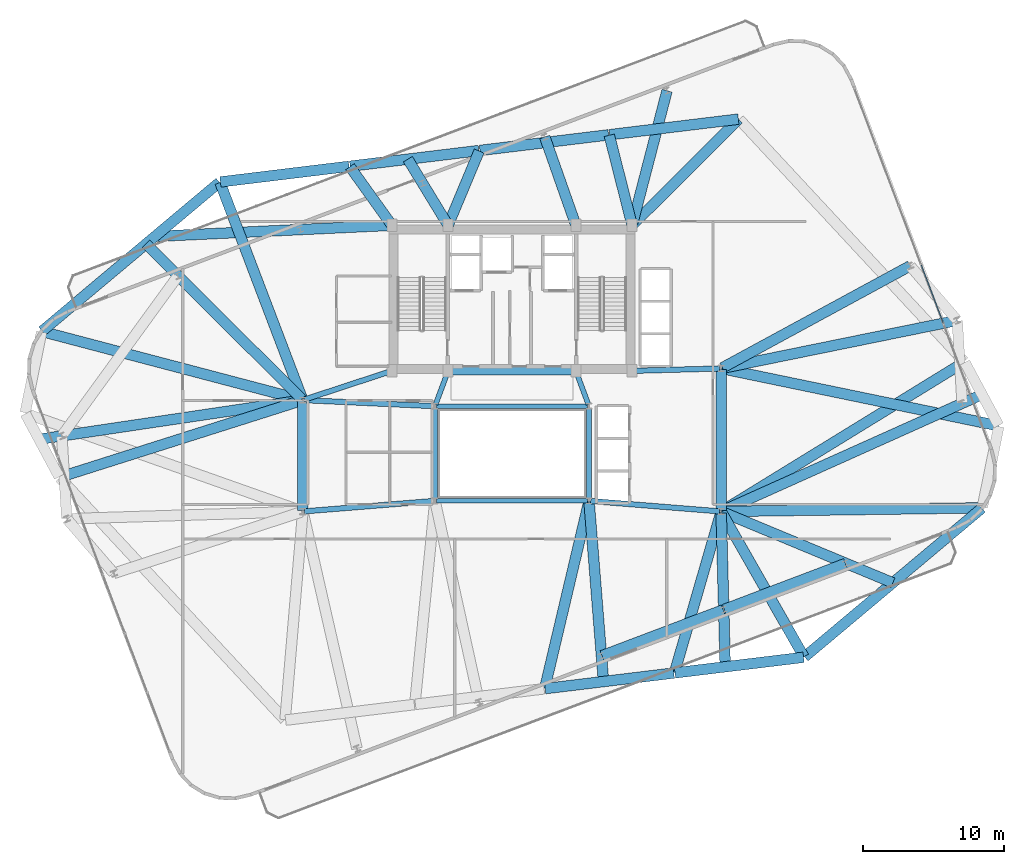
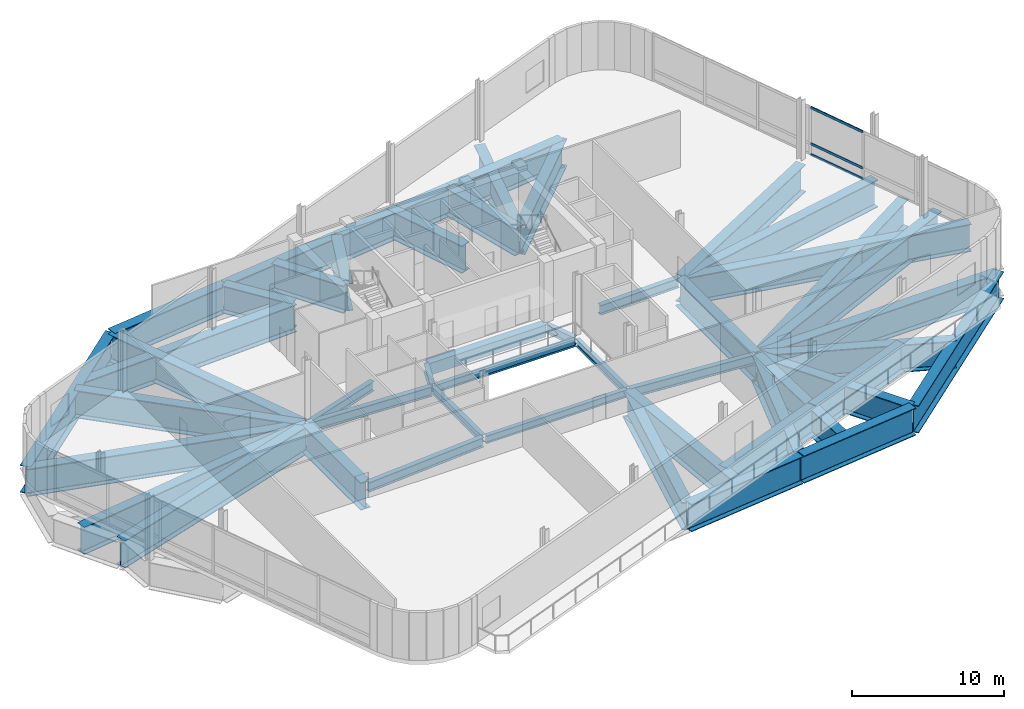
# One storey, part 8 of 19: 49 beams, 3 members, 1 element without a shape of its own.
"""IFC4 building model written with IfcOpenShell, lengths in metres."""

from ifc_helpers import new_model, si_unit, direction, frame, origin, origin_2d, place, context, subcontext, project, spatial, rectangle, hollow_rectangle, i_section, extrude, material, layer, layer_set, material_profile, profile_set, type_object, element, aggregate, save


model = new_model("IFC4")

# Units and contexts
model_context = context("Model", 3, precision=1e-05, world=origin(), true_north=direction((0.0, 1.0)))
body_context = subcontext(model_context, "Body", "Model", "MODEL_VIEW")
ifc_project = project(units=[si_unit("LENGTHUNIT", "METRE"), si_unit("AREAUNIT", "SQUARE_METRE"), si_unit("VOLUMEUNIT", "CUBIC_METRE"), si_unit("PLANEANGLEUNIT", "RADIAN"), si_unit("MASSUNIT", "GRAM", prefix="KILO")], contexts=[model_context])

# Site, building, storey
site_placement = place(None, origin())
site = spatial("IfcSite", under=ifc_project, at=site_placement, CompositionType="ELEMENT")
building_placement = place(site_placement, origin())
building = spatial("IfcBuilding", under=site, at=building_placement, Name="Varnelok Gate Tower", CompositionType="ELEMENT")
storey_placement = place(building_placement, frame((0.0, 0.0, 207.89990234375)))
storey = spatial("IfcBuildingStorey", under=building, at=storey_placement, Name="L53", CompositionType="ELEMENT", Elevation=207.89990234375)

# Beams
ifc_material_1 = material(Name="Concrete C60/75", Category="concrete")
ifc_material_profile_1 = material_profile(ifc_material_1, rectangle(XDim=0.60009765625, YDim=0.949951171875, at=origin_2d()), Name="RC950X600")
ifc_profile_set_1 = profile_set([ifc_material_profile_1], Name="Concrete C60/75")
beam_type_1 = type_object("IfcBeamType", Name="BM-LNT-RC950", PredefinedType="LINTEL", material=ifc_profile_set_1)
beam_1_placement = place(storey_placement, frame((34.800048828125, 28.75, -0.794921875), z_axis=(1.0, 0.0, 0.0), x_axis=(0.0, 1.0, 0.0)))
element("IfcBeam", 1, at=beam_1_placement, inside=storey, type_object=beam_type_1, Name="L53 Core-Atrium Spine Beam 7", PredefinedType="LINTEL", context=body_context, shape_type="SweptSolid", body=[
    extrude(rectangle(XDim=0.60009765625, YDim=0.949951171875, at=origin_2d()), origin(), (0.0, 0.0, 1.0), 8.800048828125),
])
ifc_material_2 = material(Name="Structural Steel ASTM A992 Grade 50", Category="steel")
ifc_material_profile_2 = material_profile(ifc_material_2, i_section(OverallWidth=0.35498046875, OverallDepth=0.696044921875, WebThickness=0.015380859375, FlangeThickness=0.02490234375, FilletRadius=0.02001953125, at=origin_2d()), Name="W27X146")
ifc_profile_set_2 = profile_set([ifc_material_profile_2], Name="Structural Steel ASTM A992 Grade 50")
beam_type_2 = type_object("IfcBeamType", Name="BM-PRI-W27X146", PredefinedType="BEAM", material=ifc_profile_set_2)
for number, where, z_axis, x_axis, name in (
    (2, (33.791748046875, 26.362548828125, -0.66796875), (0.348719329408, 0.937227202602, 0.0), (-0.937227202602, 0.348719329408, 0.0), "L53 Core-Atrium Spine Beam 12"),
    (3, (44.608154296875, 26.362548828125, -0.66796875), (-0.348719329408, 0.937227202602, 0.0), (-0.937227202602, -0.348719329408, 0.0), "L53 Core-Atrium Spine Beam 13"),
):
    element("IfcBeam", number, at=place(storey_placement, frame(where, z_axis=z_axis, x_axis=x_axis)), inside=storey, type_object=beam_type_2, Name=name, PredefinedType="BEAM", context=body_context, shape_type="SweptSolid", body=[
        extrude(i_section(OverallWidth=0.35498046875, OverallDepth=0.696044921875, WebThickness=0.015380859375, FlangeThickness=0.02490234375, FilletRadius=0.02001953125, at=origin_2d()), origin(), (0.0, 0.0, 1.0), 2.42724609375),
    ])
ifc_material_profile_3 = material_profile(ifc_material_2, i_section(OverallWidth=0.381103515625, OverallDepth=0.77294921875, WebThickness=0.0166015625, FlangeThickness=0.027099609375, FilletRadius=0.02197265625, at=origin_2d()), Name="W30X173")
ifc_profile_set_3 = profile_set([ifc_material_profile_3], Name="Structural Steel ASTM A992 Grade 50")
beam_type_3 = type_object("IfcBeamType", Name="BM-PRI-W30X173", PredefinedType="BEAM", material=ifc_profile_set_3)
beam_2_placement = place(storey_placement, frame((24.51953125, 18.8095703125, -0.706298828125), z_axis=(0.996799206292, 0.07994587128, 0.0), x_axis=(-0.07994587128, 0.996799206292, 0.0)))
element("IfcBeam", 4, at=beam_2_placement, inside=storey, type_object=beam_type_3, Name="L53 Core-Atrium Spine Beam 14", PredefinedType="BEAM", context=body_context, shape_type="SweptSolid", body=[
    extrude(i_section(OverallWidth=0.381103515625, OverallDepth=0.77294921875, WebThickness=0.0166015625, FlangeThickness=0.027099609375, FilletRadius=0.02197265625, at=origin_2d()), origin(), (0.0, 0.0, 1.0), 9.14013671875),
])
beam_3_placement = place(storey_placement, frame((24.52001953125, 26.674560546875, -0.706298828125), z_axis=(0.99894427814, -0.045938319209, 0.0), x_axis=(0.045938319209, 0.99894427814, 0.0)))
element("IfcBeam", 5, at=beam_3_placement, inside=storey, type_object=beam_type_3, Name="L53 Core-Atrium Spine Beam 15", PredefinedType="BEAM", context=body_context, shape_type="SweptSolid", body=[
    extrude(i_section(OverallWidth=0.381103515625, OverallDepth=0.77294921875, WebThickness=0.0166015625, FlangeThickness=0.027099609375, FilletRadius=0.02197265625, at=origin_2d()), origin(), (0.0, 0.0, 1.0), 9.11962890625),
])
beam_4_placement = place(storey_placement, frame((24.513916015625, 26.717529296875, -0.706298828125), z_axis=(0.950041943788, 0.312122259768, 0.0), x_axis=(-0.312122259768, 0.950041943788, 0.0)))
element("IfcBeam", 6, at=beam_4_placement, inside=storey, type_object=beam_type_3, Name="L53 Core-Atrium Spine Beam 17", PredefinedType="BEAM", context=body_context, shape_type="SweptSolid", body=[
    extrude(i_section(OverallWidth=0.381103515625, OverallDepth=0.77294921875, WebThickness=0.0166015625, FlangeThickness=0.027099609375, FilletRadius=0.02197265625, at=origin_2d()), origin(), (0.0, 0.0, 1.0), 6.391357421875),
])
beam_5_placement = place(storey_placement, frame((44.76953125, 19.540283203125, -0.706298828125), z_axis=(0.996799206292, -0.07994587128, 0.0), x_axis=(0.07994587128, 0.996799206292, 0.0)))
element("IfcBeam", 7, at=beam_5_placement, inside=storey, type_object=beam_type_3, Name="L53 Core-Atrium Spine Beam 18", PredefinedType="BEAM", context=body_context, shape_type="SweptSolid", body=[
    extrude(i_section(OverallWidth=0.381103515625, OverallDepth=0.77294921875, WebThickness=0.0166015625, FlangeThickness=0.027099609375, FilletRadius=0.02197265625, at=origin_2d()), origin(), (0.0, 0.0, 1.0), 9.14013671875),
])
beam_6_placement = place(storey_placement, frame((47.820068359375, 28.753173828125, -0.706298828125), z_axis=(0.999635880609, 0.026983443053, 0.0), x_axis=(-0.026983443053, 0.999635880609, 0.0)))
element("IfcBeam", 8, at=beam_6_placement, inside=storey, type_object=beam_type_3, Name="L53 Core-Atrium Spine Beam 19", PredefinedType="BEAM", context=body_context, shape_type="SweptSolid", body=[
    extrude(i_section(OverallWidth=0.381103515625, OverallDepth=0.77294921875, WebThickness=0.0166015625, FlangeThickness=0.027099609375, FilletRadius=0.02197265625, at=origin_2d()), origin(), (0.0, 0.0, 1.0), 6.06201171875),
])
ifc_material_profile_4 = material_profile(ifc_material_2, i_section(OverallWidth=0.323974609375, OverallDepth=0.611083984375, WebThickness=0.0126953125, FlangeThickness=0.01904296875, FilletRadius=0.01806640625, at=origin_2d()), Name="W24X104")
ifc_profile_set_4 = profile_set([ifc_material_profile_4], Name="Structural Steel ASTM A992 Grade 50")
beam_type_4 = type_object("IfcBeamType", Name="BM-SPN-W24X104", PredefinedType="SPANDREL", material=ifc_profile_set_4)
for number, where, z_axis, x_axis, name in (
    (9, (33.8701171875, 19.550048828125, -0.62548828125), (1.0, 0.0, 0.0), (0.0, 1.0, 0.0), "L53 Core-Atrium Spine Beam 8"),
    (10, (33.8701171875, 26.25, -0.62548828125), (1.0, 0.0, 0.0), (0.0, 1.0, 0.0), "L53 Core-Atrium Spine Beam 9"),
):
    element("IfcBeam", number, at=place(storey_placement, frame(where, z_axis=z_axis, x_axis=x_axis)), inside=storey, type_object=beam_type_4, Name=name, PredefinedType="SPANDREL", context=body_context, shape_type="SweptSolid", body=[
        extrude(i_section(OverallWidth=0.323974609375, OverallDepth=0.611083984375, WebThickness=0.0126953125, FlangeThickness=0.01904296875, FilletRadius=0.01806640625, at=origin_2d()), origin(), (0.0, 0.0, 1.0), 10.659912109375),
    ])
for number, where, z_axis, x_axis, name in (
    (11, (33.75, 19.669921875, -0.62548828125), (0.0, 1.0, 0.0), (-1.0, 0.0, 0.0), "L53 Core-Atrium Spine Beam 10"),
    (12, (44.64990234375, 19.669921875, -0.62548828125), (0.0, 1.0, 0.0), (-1.0, 0.0, 0.0), "L53 Core-Atrium Spine Beam 11"),
):
    element("IfcBeam", number, at=place(storey_placement, frame(where, z_axis=z_axis, x_axis=x_axis)), inside=storey, type_object=beam_type_4, Name=name, PredefinedType="SPANDREL", context=body_context, shape_type="SweptSolid", body=[
        extrude(i_section(OverallWidth=0.323974609375, OverallDepth=0.611083984375, WebThickness=0.0126953125, FlangeThickness=0.01904296875, FilletRadius=0.01806640625, at=origin_2d()), origin(), (0.0, 0.0, 1.0), 6.4599609375),
    ])
ifc_material_3 = material(Name="Structural Steel ASTM A572 Grade 50", Category="steel")
ifc_material_profile_5 = material_profile(ifc_material_3, i_section(OverallWidth=0.75, OverallDepth=2.199951171875, WebThickness=0.031982421875, FlangeThickness=0.06005859375, FilletRadius=0.028076171875, at=origin_2d()), Name="PG2200X750")
ifc_profile_set_5 = profile_set([ifc_material_profile_5], Name="Structural Steel ASTM A572 Grade 50")
beam_type_5 = type_object("IfcBeamType", Name="BM-TR-PG2200", PredefinedType="BEAM", material=ifc_profile_set_5)
beam_7_placement = place(storey_placement, frame((24.39990234375, 18.8798828125, -1.419921875), z_axis=(0.0, 1.0, 0.0), x_axis=(-1.0, 0.0, 0.0)))
element("IfcBeam", 13, at=beam_7_placement, inside=storey, type_object=beam_type_5, Name="L53 Wing Spine Transfer Header W", PredefinedType="BEAM", context=body_context, shape_type="SweptSolid", body=[
    extrude(i_section(OverallWidth=0.75, OverallDepth=2.199951171875, WebThickness=0.031982421875, FlangeThickness=0.06005859375, FilletRadius=0.028076171875, at=origin_2d()), origin(), (0.0, 0.0, 1.0), 7.72021484375),
])
beam_8_placement = place(storey_placement, frame((54.0, 18.8798828125, -1.419921875), z_axis=(0.0, 1.0, 0.0), x_axis=(-1.0, 0.0, 0.0)))
element("IfcBeam", 14, at=beam_8_placement, inside=storey, type_object=beam_type_5, Name="L53 Wing Spine Transfer Header E", PredefinedType="BEAM", context=body_context, shape_type="SweptSolid", body=[
    extrude(i_section(OverallWidth=0.75, OverallDepth=2.199951171875, WebThickness=0.031982421875, FlangeThickness=0.06005859375, FilletRadius=0.028076171875, at=origin_2d()), origin(), (0.0, 0.0, 1.0), 9.960205078125),
])
beam_9_placement = place(storey_placement, frame((41.5478515625, 6.26416015625, -1.419921875), z_axis=(0.992729830166, 0.120363965946, 0.0), x_axis=(-0.120363965946, 0.992729830166, 0.0)))
element("IfcBeam", 15, at=beam_9_placement, inside=storey, type_object=beam_type_5, Name="L53 Transfer Support Ring Girder 3", PredefinedType="BEAM", context=body_context, shape_type="SweptSolid", body=[
    extrude(i_section(OverallWidth=0.75, OverallDepth=2.199951171875, WebThickness=0.031982421875, FlangeThickness=0.06005859375, FilletRadius=0.028076171875, at=origin_2d()), origin(), (0.0, 0.0, 1.0), 9.170166015625),
])
beam_10_placement = place(storey_placement, frame((50.730712890625, 7.37744140625, -1.419921875), z_axis=(0.992732625466, 0.120340908818, 0.0), x_axis=(-0.120340908818, 0.992732625466, 0.0)))
element("IfcBeam", 16, at=beam_10_placement, inside=storey, type_object=beam_type_5, Name="L53 Transfer Support Ring Girder 4", PredefinedType="BEAM", context=body_context, shape_type="SweptSolid", body=[
    extrude(i_section(OverallWidth=0.75, OverallDepth=2.199951171875, WebThickness=0.031982421875, FlangeThickness=0.06005859375, FilletRadius=0.028076171875, at=origin_2d()), origin(), (0.0, 0.0, 1.0), 9.169921875),
])
beam_11_placement = place(storey_placement, frame((59.904296875, 8.511474609375, -1.419921875), z_axis=(0.766097503556, 0.642724369419, 0.0), x_axis=(-0.642724369419, 0.766097503556, 0.0)))
element("IfcBeam", 17, at=beam_11_placement, inside=storey, type_object=beam_type_5, Name="L53 Transfer Support Ring Girder 5", PredefinedType="BEAM", context=body_context, shape_type="SweptSolid", body=[
    extrude(i_section(OverallWidth=0.75, OverallDepth=2.199951171875, WebThickness=0.031982421875, FlangeThickness=0.06005859375, FilletRadius=0.028076171875, at=origin_2d()), origin(), (0.0, 0.0, 1.0), 16.371337890625),
])
beam_12_placement = place(storey_placement, frame((55.217529296875, 46.562255859375, -1.419921875), z_axis=(-0.992729444446, -0.120367147219, 0.0), x_axis=(0.120367147219, -0.992729444446, 0.0)))
element("IfcBeam", 18, at=beam_12_placement, inside=storey, type_object=beam_type_5, Name="L53 Transfer Support Ring Girder 9", PredefinedType="BEAM", context=body_context, shape_type="SweptSolid", body=[
    extrude(i_section(OverallWidth=0.75, OverallDepth=2.199951171875, WebThickness=0.031982421875, FlangeThickness=0.06005859375, FilletRadius=0.028076171875, at=origin_2d()), origin(), (0.0, 0.0, 1.0), 9.169921875),
])
beam_13_placement = place(storey_placement, frame((46.034912109375, 45.448974609375, -1.419921875), z_axis=(-0.992733011019, -0.120337728218, 0.0), x_axis=(0.120337728218, -0.992733011019, 0.0)))
element("IfcBeam", 19, at=beam_13_placement, inside=storey, type_object=beam_type_5, Name="L53 Transfer Support Ring Girder 10", PredefinedType="BEAM", context=body_context, shape_type="SweptSolid", body=[
    extrude(i_section(OverallWidth=0.75, OverallDepth=2.199951171875, WebThickness=0.031982421875, FlangeThickness=0.06005859375, FilletRadius=0.028076171875, at=origin_2d()), origin(), (0.0, 0.0, 1.0), 9.170166015625),
])
for number, where, z_axis, x_axis, name in (
    (20, (36.85205078125, 44.335693359375, -1.419921875), (-0.992732625466, -0.120340908818, 0.0), (0.120340908818, -0.992732625466, 0.0), "L53 Transfer Support Ring Girder 11"),
    (21, (27.669189453125, 43.22265625, -1.419921875), (-0.992729444446, -0.120367147219, 0.0), (0.120367147219, -0.992729444446, 0.0), "L53 Transfer Support Ring Girder 12"),
):
    element("IfcBeam", number, at=place(storey_placement, frame(where, z_axis=z_axis, x_axis=x_axis)), inside=storey, type_object=beam_type_5, Name=name, PredefinedType="BEAM", context=body_context, shape_type="SweptSolid", body=[
        extrude(i_section(OverallWidth=0.75, OverallDepth=2.199951171875, WebThickness=0.031982421875, FlangeThickness=0.06005859375, FilletRadius=0.028076171875, at=origin_2d()), origin(), (0.0, 0.0, 1.0), 9.169921875),
    ])
beam_14_placement = place(storey_placement, frame((18.49560546875, 42.08837890625, -1.419921875), z_axis=(-0.766104846456, -0.642715616923, 0.0), x_axis=(0.642715616923, -0.766104846456, 0.0)))
element("IfcBeam", 22, at=beam_14_placement, inside=storey, type_object=beam_type_5, Name="L53 Transfer Support Ring Girder 13", PredefinedType="BEAM", context=body_context, shape_type="SweptSolid", body=[
    extrude(i_section(OverallWidth=0.75, OverallDepth=2.199951171875, WebThickness=0.031982421875, FlangeThickness=0.06005859375, FilletRadius=0.028076171875, at=origin_2d()), origin(), (0.0, 0.0, 1.0), 16.37109375),
])
beam_15_placement = place(storey_placement, frame((44.640869140625, 19.510986328125, -1.419921875), z_axis=(-0.23006354054, -0.9731756097, 0.0), x_axis=(0.9731756097, -0.23006354054, 0.0)))
element("IfcBeam", 23, at=beam_15_placement, inside=storey, type_object=beam_type_5, Name="L53 Radial Transfer Main Girder 3", PredefinedType="BEAM", context=body_context, shape_type="SweptSolid", body=[
    extrude(i_section(OverallWidth=0.75, OverallDepth=2.199951171875, WebThickness=0.031982421875, FlangeThickness=0.06005859375, FilletRadius=0.028076171875, at=origin_2d()), origin(), (0.0, 0.0, 1.0), 13.576904296875),
])
beam_16_placement = place(storey_placement, frame((53.989013671875, 18.76171875, -1.419921875), z_axis=(-0.278143856805, -0.960539429134, 0.0), x_axis=(0.960539429134, -0.278143856805, 0.0)))
element("IfcBeam", 24, at=beam_16_placement, inside=storey, type_object=beam_type_5, Name="L53 Radial Transfer Main Girder 4", PredefinedType="BEAM", context=body_context, shape_type="SweptSolid", body=[
    extrude(i_section(OverallWidth=0.75, OverallDepth=2.199951171875, WebThickness=0.031982421875, FlangeThickness=0.06005859375, FilletRadius=0.028076171875, at=origin_2d()), origin(), (0.0, 0.0, 1.0), 11.817138671875),
])
beam_17_placement = place(storey_placement, frame((54.019775390625, 18.76513671875, -1.419921875), z_axis=(0.494869459327, -0.86896732863, 0.0), x_axis=(0.86896732863, 0.494869459327, 0.0)))
element("IfcBeam", 25, at=beam_17_placement, inside=storey, type_object=beam_type_5, Name="L53 Radial Transfer Main Girder 5", PredefinedType="BEAM", context=body_context, shape_type="SweptSolid", body=[
    extrude(i_section(OverallWidth=0.75, OverallDepth=2.199951171875, WebThickness=0.031982421875, FlangeThickness=0.06005859375, FilletRadius=0.028076171875, at=origin_2d()), origin(), (0.0, 0.0, 1.0), 11.78955078125),
])
beam_18_placement = place(storey_placement, frame((54.0400390625, 18.800537109375, -1.419921875), z_axis=(0.999901634393, 0.014025745515, 0.0), x_axis=(-0.014025745515, 0.999901634393, 0.0)))
element("IfcBeam", 26, at=beam_18_placement, inside=storey, type_object=beam_type_5, Name="L53 Radial Transfer Main Girder 6", PredefinedType="BEAM", context=body_context, shape_type="SweptSolid", body=[
    extrude(i_section(OverallWidth=0.75, OverallDepth=2.199951171875, WebThickness=0.031982421875, FlangeThickness=0.06005859375, FilletRadius=0.028076171875, at=origin_2d()), origin(), (0.0, 0.0, 1.0), 18.398681640625),
])
beam_19_placement = place(storey_placement, frame((54.039306640625, 28.911865234375, -1.419921875), z_axis=(0.97925406888, -0.202636296312, 0.0), x_axis=(0.202636296312, 0.97925406888, 0.0)))
element("IfcBeam", 27, at=beam_19_placement, inside=storey, type_object=beam_type_5, Name="L53 Radial Transfer Main Girder 7", PredefinedType="BEAM", context=body_context, shape_type="SweptSolid", body=[
    extrude(i_section(OverallWidth=0.75, OverallDepth=2.199951171875, WebThickness=0.031982421875, FlangeThickness=0.06005859375, FilletRadius=0.028076171875, at=origin_2d()), origin(), (0.0, 0.0, 1.0), 19.990478515625),
])
beam_20_placement = place(storey_placement, frame((54.0341796875, 18.82080078125, -1.419921875), z_axis=(0.852016115087, 0.523515558157, 0.0), x_axis=(-0.523515558157, 0.852016115087, 0.0)))
element("IfcBeam", 28, at=beam_20_placement, inside=storey, type_object=beam_type_5, Name="L53 Radial Transfer Main Girder 8", PredefinedType="BEAM", context=body_context, shape_type="SweptSolid", body=[
    extrude(i_section(OverallWidth=0.75, OverallDepth=2.199951171875, WebThickness=0.031982421875, FlangeThickness=0.06005859375, FilletRadius=0.028076171875, at=origin_2d()), origin(), (0.0, 0.0, 1.0), 20.136962890625),
])
beam_21_placement = place(storey_placement, frame((47.728515625, 39.078125, -1.419921875), z_axis=(0.708985091132, 0.705223468521, 0.0), x_axis=(-0.705223468521, 0.708985091132, 0.0)))
element("IfcBeam", 29, at=beam_21_placement, inside=storey, type_object=beam_type_5, Name="L53 Radial Transfer Main Girder 9", PredefinedType="BEAM", context=body_context, shape_type="SweptSolid", body=[
    extrude(i_section(OverallWidth=0.75, OverallDepth=2.199951171875, WebThickness=0.031982421875, FlangeThickness=0.06005859375, FilletRadius=0.028076171875, at=origin_2d()), origin(), (0.0, 0.0, 1.0), 10.5791015625),
])
beam_22_placement = place(storey_placement, frame((47.690185546875, 39.0888671875, -1.419921875), z_axis=(-0.246019421144, 0.969264898993, 0.0), x_axis=(-0.969264898993, -0.246019421144, 0.0)))
element("IfcBeam", 30, at=beam_22_placement, inside=storey, type_object=beam_type_5, Name="L53 Radial Transfer Main Girder 10", PredefinedType="BEAM", context=body_context, shape_type="SweptSolid", body=[
    extrude(i_section(OverallWidth=0.75, OverallDepth=2.199951171875, WebThickness=0.031982421875, FlangeThickness=0.06005859375, FilletRadius=0.028076171875, at=origin_2d()), origin(), (0.0, 0.0, 1.0), 6.52685546875),
])
beam_23_placement = place(storey_placement, frame((34.6953125, 39.0869140625, -1.419921875), z_axis=(0.385743320012, 0.922606140813, 0.0), x_axis=(-0.922606140813, 0.385743320012, 0.0)))
element("IfcBeam", 31, at=beam_23_placement, inside=storey, type_object=beam_type_5, Name="L53 Radial Transfer Main Girder 11", PredefinedType="BEAM", context=body_context, shape_type="SweptSolid", body=[
    extrude(i_section(OverallWidth=0.75, OverallDepth=2.199951171875, WebThickness=0.031982421875, FlangeThickness=0.06005859375, FilletRadius=0.028076171875, at=origin_2d()), origin(), (0.0, 0.0, 1.0), 5.654296875),
])
beam_24_placement = place(storey_placement, frame((30.6767578125, 39.08251953125, -1.419921875), z_axis=(-0.582151067217, 0.813080644793, 0.0), x_axis=(-0.813080644793, -0.582151067217, 0.0)))
element("IfcBeam", 32, at=beam_24_placement, inside=storey, type_object=beam_type_5, Name="L53 Radial Transfer Main Girder 12", PredefinedType="BEAM", context=body_context, shape_type="SweptSolid", body=[
    extrude(i_section(OverallWidth=0.75, OverallDepth=2.199951171875, WebThickness=0.031982421875, FlangeThickness=0.06005859375, FilletRadius=0.028076171875, at=origin_2d()), origin(), (0.0, 0.0, 1.0), 5.0576171875),
])
beam_25_placement = place(storey_placement, frame((24.3857421875, 26.71728515625, -1.419921875), z_axis=(-0.35568581308, 0.93460558653, 0.0), x_axis=(-0.93460558653, -0.35568581308, 0.0)))
element("IfcBeam", 33, at=beam_25_placement, inside=storey, type_object=beam_type_5, Name="L53 Radial Transfer Main Girder 13", PredefinedType="BEAM", context=body_context, shape_type="SweptSolid", body=[
    extrude(i_section(OverallWidth=0.75, OverallDepth=2.199951171875, WebThickness=0.031982421875, FlangeThickness=0.06005859375, FilletRadius=0.028076171875, at=origin_2d()), origin(), (0.0, 0.0, 1.0), 16.434326171875),
])
beam_26_placement = place(storey_placement, frame((24.361328125, 26.690185546875, -1.419921875), z_axis=(-0.967095477941, 0.254413711396, 0.0), x_axis=(-0.254413711396, -0.967095477941, 0.0)))
element("IfcBeam", 34, at=beam_26_placement, inside=storey, type_object=beam_type_5, Name="L53 Radial Transfer Main Girder 14", PredefinedType="BEAM", context=body_context, shape_type="SweptSolid", body=[
    extrude(i_section(OverallWidth=0.75, OverallDepth=2.199951171875, WebThickness=0.031982421875, FlangeThickness=0.06005859375, FilletRadius=0.028076171875, at=origin_2d()), origin(), (0.0, 0.0, 1.0), 19.025390625),
])
beam_27_placement = place(storey_placement, frame((24.36181640625, 26.66796875, -1.419921875), z_axis=(-0.953194871834, -0.302356637615, 0.0), x_axis=(0.302356637615, -0.953194871834, 0.0)))
element("IfcBeam", 35, at=beam_27_placement, inside=storey, type_object=beam_type_5, Name="L53 Radial Transfer Main Girder 16", PredefinedType="BEAM", context=body_context, shape_type="SweptSolid", body=[
    extrude(i_section(OverallWidth=0.75, OverallDepth=2.199951171875, WebThickness=0.031982421875, FlangeThickness=0.06005859375, FilletRadius=0.028076171875, at=origin_2d()), origin(), (0.0, 0.0, 1.0), 17.990966796875),
])
beam_28_placement = place(storey_placement, frame((44.657958984375, 19.4501953125, -1.419921875), z_axis=(0.080015897873, -0.996793587503, 0.0), x_axis=(0.996793587503, 0.080015897873, 0.0)))
element("IfcBeam", 36, at=beam_28_placement, inside=storey, type_object=beam_type_5, Name="L53 Column Transfer Carrier Girder 3", PredefinedType="BEAM", context=body_context, shape_type="SweptSolid", body=[
    extrude(i_section(OverallWidth=0.75, OverallDepth=2.199951171875, WebThickness=0.031982421875, FlangeThickness=0.06005859375, FilletRadius=0.028076171875, at=origin_2d()), origin(), (0.0, 0.0, 1.0), 12.726318359375),
])
beam_29_placement = place(storey_placement, frame((54.002685546875, 18.699951171875, -1.419921875), z_axis=(0.026105735202, -0.999659187218, 0.0), x_axis=(0.999659187218, 0.026105735202, 0.0)))
element("IfcBeam", 37, at=beam_29_placement, inside=storey, type_object=beam_type_5, Name="L53 Column Transfer Carrier Girder 4", PredefinedType="BEAM", context=body_context, shape_type="SweptSolid", body=[
    extrude(i_section(OverallWidth=0.75, OverallDepth=2.199951171875, WebThickness=0.031982421875, FlangeThickness=0.06005859375, FilletRadius=0.028076171875, at=origin_2d()), origin(), (0.0, 0.0, 1.0), 10.89501953125),
])
beam_30_placement = place(storey_placement, frame((54.09228515625, 18.76171875, -1.419921875), z_axis=(0.923391404331, -0.383859758776, 0.0), x_axis=(0.383859758776, 0.923391404331, 0.0)))
element("IfcBeam", 38, at=beam_30_placement, inside=storey, type_object=beam_type_5, Name="L53 Column Transfer Carrier Girder 5", PredefinedType="BEAM", context=body_context, shape_type="SweptSolid", body=[
    extrude(i_section(OverallWidth=0.75, OverallDepth=2.199951171875, WebThickness=0.031982421875, FlangeThickness=0.06005859375, FilletRadius=0.028076171875, at=origin_2d()), origin(), (0.0, 0.0, 1.0), 13.05615234375),
])
beam_31_placement = place(storey_placement, frame((54.09130859375, 18.8408203125, -1.419921875), z_axis=(0.91234488682, 0.409422529295, 0.0), x_axis=(-0.409422529295, 0.91234488682, 0.0)))
element("IfcBeam", 39, at=beam_31_placement, inside=storey, type_object=beam_type_5, Name="L53 Column Transfer Carrier Girder 6", PredefinedType="BEAM", context=body_context, shape_type="SweptSolid", body=[
    extrude(i_section(OverallWidth=0.75, OverallDepth=2.199951171875, WebThickness=0.031982421875, FlangeThickness=0.06005859375, FilletRadius=0.028076171875, at=origin_2d()), origin(), (0.0, 0.0, 1.0), 20.1318359375),
])
beam_32_placement = place(storey_placement, frame((54.097900390625, 28.93994140625, -1.419921875), z_axis=(0.979915818013, 0.199411608508, 0.0), x_axis=(-0.199411608508, 0.979915818013, 0.0)))
element("IfcBeam", 40, at=beam_32_placement, inside=storey, type_object=beam_type_5, Name="L53 Column Transfer Carrier Girder 7", PredefinedType="BEAM", context=body_context, shape_type="SweptSolid", body=[
    extrude(i_section(OverallWidth=0.75, OverallDepth=2.199951171875, WebThickness=0.031982421875, FlangeThickness=0.06005859375, FilletRadius=0.028076171875, at=origin_2d()), origin(), (0.0, 0.0, 1.0), 16.947998046875),
])
beam_33_placement = place(storey_placement, frame((54.087890625, 28.9677734375, -1.419921875), z_axis=(0.878850529378, 0.477097209185, 0.0), x_axis=(-0.477097209185, 0.878850529378, 0.0)))
element("IfcBeam", 41, at=beam_33_placement, inside=storey, type_object=beam_type_5, Name="L53 Column Transfer Carrier Girder 8", PredefinedType="BEAM", context=body_context, shape_type="SweptSolid", body=[
    extrude(i_section(OverallWidth=0.75, OverallDepth=2.199951171875, WebThickness=0.031982421875, FlangeThickness=0.06005859375, FilletRadius=0.028076171875, at=origin_2d()), origin(), (0.0, 0.0, 1.0), 15.1162109375),
])
beam_34_placement = place(storey_placement, frame((47.72509765625, 39.146728515625, -1.419921875), z_axis=(0.251174461768, 0.967941831804, 0.0), x_axis=(-0.967941831804, 0.251174461768, 0.0)))
element("IfcBeam", 42, at=beam_34_placement, inside=storey, type_object=beam_type_5, Name="L53 Column Transfer Carrier Girder 9", PredefinedType="BEAM", context=body_context, shape_type="SweptSolid", body=[
    extrude(i_section(OverallWidth=0.75, OverallDepth=2.199951171875, WebThickness=0.031982421875, FlangeThickness=0.06005859375, FilletRadius=0.028076171875, at=origin_2d()), origin(), (0.0, 0.0, 1.0), 9.737548828125),
])
beam_35_placement = place(storey_placement, frame((43.686767578125, 39.144287109375, -1.419921875), z_axis=(-0.332138720672, 0.943230549882, 0.0), x_axis=(-0.943230549882, -0.332138720672, 0.0)))
element("IfcBeam", 43, at=beam_35_placement, inside=storey, type_object=beam_type_5, Name="L53 Column Transfer Carrier Girder 10", PredefinedType="BEAM", context=body_context, shape_type="SweptSolid", body=[
    extrude(i_section(OverallWidth=0.75, OverallDepth=2.199951171875, WebThickness=0.031982421875, FlangeThickness=0.06005859375, FilletRadius=0.028076171875, at=origin_2d()), origin(), (0.0, 0.0, 1.0), 6.52294921875),
])
beam_36_placement = place(storey_placement, frame((34.6279296875, 39.135498046875, -1.419921875), z_axis=(-0.520286872027, 0.853991551947, 0.0), x_axis=(-0.853991551947, -0.520286872027, 0.0)))
element("IfcBeam", 44, at=beam_36_placement, inside=storey, type_object=beam_type_5, Name="L53 Column Transfer Carrier Girder 11", PredefinedType="BEAM", context=body_context, shape_type="SweptSolid", body=[
    extrude(i_section(OverallWidth=0.75, OverallDepth=2.199951171875, WebThickness=0.031982421875, FlangeThickness=0.06005859375, FilletRadius=0.028076171875, at=origin_2d()), origin(), (0.0, 0.0, 1.0), 5.37646484375),
])
beam_37_placement = place(storey_placement, frame((30.60009765625, 39.04541015625, -1.419921875), z_axis=(-0.998906552069, -0.046751473057, 0.0), x_axis=(0.046751473057, -0.998906552069, 0.0)))
element("IfcBeam", 45, at=beam_37_placement, inside=storey, type_object=beam_type_5, Name="L53 Column Transfer Carrier Girder 12", PredefinedType="BEAM", context=body_context, shape_type="SweptSolid", body=[
    extrude(i_section(OverallWidth=0.75, OverallDepth=2.199951171875, WebThickness=0.031982421875, FlangeThickness=0.06005859375, FilletRadius=0.028076171875, at=origin_2d()), origin(), (0.0, 0.0, 1.0), 16.679443359375),
])
beam_38_placement = place(storey_placement, frame((24.3291015625, 26.75048828125, -1.419921875), z_axis=(-0.708736450144, 0.705473347645, 0.0), x_axis=(-0.705473347645, -0.708736450144, 0.0)))
element("IfcBeam", 46, at=beam_38_placement, inside=storey, type_object=beam_type_5, Name="L53 Column Transfer Carrier Girder 13", PredefinedType="BEAM", context=body_context, shape_type="SweptSolid", body=[
    extrude(i_section(OverallWidth=0.75, OverallDepth=2.199951171875, WebThickness=0.031982421875, FlangeThickness=0.06005859375, FilletRadius=0.028076171875, at=origin_2d()), origin(), (0.0, 0.0, 1.0), 15.562255859375),
])
beam_39_placement = place(storey_placement, frame((24.301025390625, 26.665283203125, -1.419921875), z_axis=(-0.989146549289, -0.14693231105, 0.0), x_axis=(0.14693231105, -0.989146549289, 0.0)))
element("IfcBeam", 47, at=beam_39_placement, inside=storey, type_object=beam_type_5, Name="L53 Column Transfer Carrier Girder 14", PredefinedType="BEAM", context=body_context, shape_type="SweptSolid", body=[
    extrude(i_section(OverallWidth=0.75, OverallDepth=2.199951171875, WebThickness=0.031982421875, FlangeThickness=0.06005859375, FilletRadius=0.028076171875, at=origin_2d()), origin(), (0.0, 0.0, 1.0), 18.772705078125),
])
beam_40_placement = place(storey_placement, frame((45.568115234375, 8.59228515625, -1.419921875), z_axis=(0.935218362021, 0.354071483375, 0.0), x_axis=(-0.354071483375, 0.935218362021, 0.0)))
element("IfcBeam", 48, at=beam_40_placement, inside=storey, type_object=beam_type_5, Name="L53 Upper Perimeter Transfer Ring 3", PredefinedType="BEAM", context=body_context, shape_type="SweptSolid", body=[
    extrude(i_section(OverallWidth=0.75, OverallDepth=2.199951171875, WebThickness=0.031982421875, FlangeThickness=0.06005859375, FilletRadius=0.028076171875, at=origin_2d()), origin(), (0.0, 0.0, 1.0), 9.169921875),
])
beam_41_placement = place(storey_placement, frame((54.21875, 11.867431640625, -1.419921875), z_axis=(0.935221699646, 0.35406266749, 0.0), x_axis=(-0.35406266749, 0.935221699646, 0.0)))
element("IfcBeam", 49, at=beam_41_placement, inside=storey, type_object=beam_type_5, Name="L53 Upper Perimeter Transfer Ring 4", PredefinedType="BEAM", context=body_context, shape_type="SweptSolid", body=[
    extrude(i_section(OverallWidth=0.75, OverallDepth=2.199951171875, WebThickness=0.031982421875, FlangeThickness=0.06005859375, FilletRadius=0.028076171875, at=origin_2d()), origin(), (0.0, 0.0, 1.0), 9.170166015625),
])

# Curtain wall, members
ifc_material_4 = material(Name="Anodized Aluminum Alloy 6063-T6", Category="aluminium")
ifc_layer = layer(ifc_material_4, 0.179931640625)
ifc_layer_set = layer_set([ifc_layer], Name="Anodized Aluminum Alloy 6063-T6")
curtain_wall_type = type_object("IfcCurtainWallType", Name="CW2-ATRIUM-GLAZING", PredefinedType="USERDEFINED", material=ifc_layer_set)
curtain_wall_placement = place(storey_placement, origin())
curtain_wall = element("IfcCurtainWall", 50, at=curtain_wall_placement, inside=storey, type_object=curtain_wall_type, Name="L53 East End Vision Curtain Wall", ObjectType="UNITISED CURTAIN WALL", PredefinedType="USERDEFINED")
ifc_material_profile_6 = material_profile(ifc_material_4, hollow_rectangle(XDim=0.074951171875, YDim=0.199951171875, WallThickness=0.00390625, at=origin_2d()), Name="ALU200X75X4")
ifc_profile_set_6 = profile_set([ifc_material_profile_6], Name="Anodized Aluminum Alloy 6063-T6")
member_type = type_object("IfcMemberType", Name="CW-TRAN-200", PredefinedType="USERDEFINED", material=ifc_profile_set_6)
member_1_placement = place(storey_placement, frame((68.167724609375, 36.2265625, 0.03759765625), z_axis=(0.354064266196, -0.935221094396, 0.0), x_axis=(0.935221094396, 0.354064266196, 0.0)))
member_1 = element("IfcMember", 51, at=member_1_placement, type_object=member_type, Name="CW2 transom 4.1", ObjectType="TRANSOM", PredefinedType="USERDEFINED", context=body_context, shape_type="SweptSolid", body=[
    extrude(hollow_rectangle(XDim=0.074951171875, YDim=0.199951171875, WallThickness=0.00390625, at=origin_2d()), origin(), (0.0, 0.0, 1.0), 4.3916015625),
])
member_2_placement = place(storey_placement, frame((68.167724609375, 36.2265625, 0.900146484375), z_axis=(0.354064266196, -0.935221094396, 0.0), x_axis=(0.935221094396, 0.354064266196, 0.0)))
member_2 = element("IfcMember", 52, at=member_2_placement, type_object=member_type, Name="CW2 transom 4.2", ObjectType="TRANSOM", PredefinedType="USERDEFINED", context=body_context, shape_type="SweptSolid", body=[
    extrude(hollow_rectangle(XDim=0.074951171875, YDim=0.199951171875, WallThickness=0.00390625, at=origin_2d()), origin(), (0.0, 0.0, 1.0), 4.3916015625),
])
member_3_placement = place(storey_placement, frame((68.167724609375, 36.2265625, 3.79248046875), z_axis=(0.354064266196, -0.935221094396, 0.0), x_axis=(0.935221094396, 0.354064266196, 0.0)))
member_3 = element("IfcMember", 53, at=member_3_placement, type_object=member_type, Name="CW2 transom 4.3", ObjectType="TRANSOM", PredefinedType="USERDEFINED", context=body_context, shape_type="SweptSolid", body=[
    extrude(hollow_rectangle(XDim=0.074951171875, YDim=0.199951171875, WallThickness=0.00390625, at=origin_2d()), origin(), (0.0, 0.0, 1.0), 4.3916015625),
])
aggregate(curtain_wall, [member_1, member_2, member_3])

save(model, "model.ifc")
